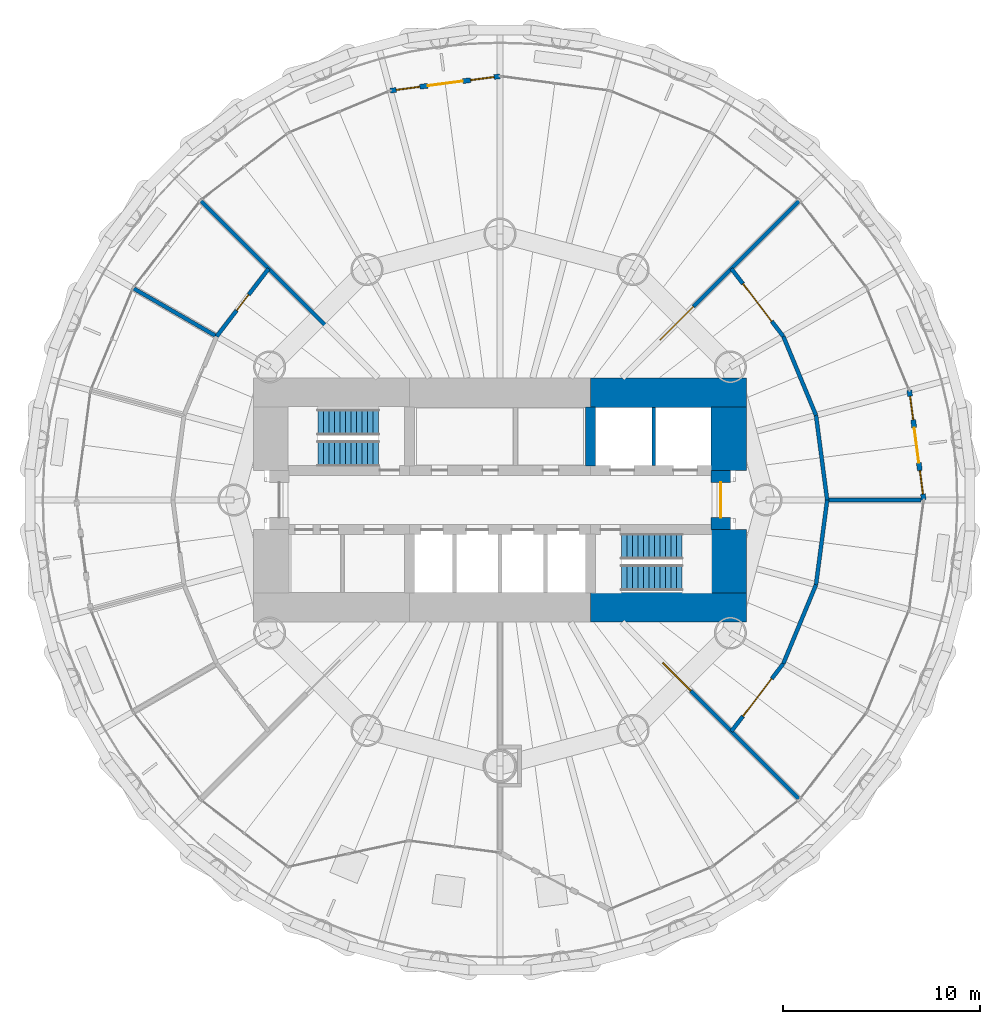
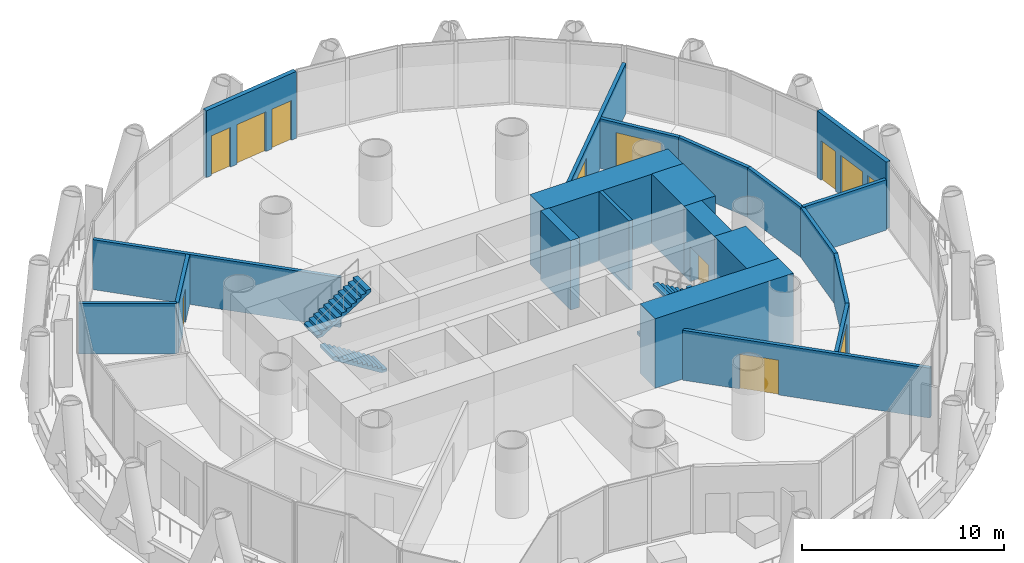
# One storey, part 11 of 15: 21 walls, 8 doors, 4 stair flights, 4 windows, 12 openings, 2 elements without a shape of their own.
"""IFC4 building model written with IfcOpenShell, lengths in metres."""

from ifc_helpers import new_model, si_unit, direction, frame, frame_2d, origin, place, context, subcontext, project, spatial, polyline, rectangle, outline, extrude, material, layer, layer_set, type_object, element, fill, aggregate, save


model = new_model("IFC4")

# Units and contexts
model_context = context("Model", 3, precision=1e-05, world=origin(), true_north=direction((0.0, 1.0)))
body_context = subcontext(model_context, "Body", "Model", "MODEL_VIEW")
ifc_project = project(units=[si_unit("LENGTHUNIT", "METRE"), si_unit("AREAUNIT", "SQUARE_METRE"), si_unit("VOLUMEUNIT", "CUBIC_METRE"), si_unit("PLANEANGLEUNIT", "RADIAN"), si_unit("MASSUNIT", "GRAM", prefix="KILO")], contexts=[model_context])

# Site, building, storey
site_placement = place(None, origin())
site = spatial("IfcSite", under=ifc_project, at=site_placement, CompositionType="ELEMENT")
building_placement = place(site_placement, origin())
building = spatial("IfcBuilding", under=site, at=building_placement, Name="Qaws Media Tower", CompositionType="ELEMENT")
storey_placement = place(building_placement, frame((0.0, 0.0, 198.199951171875)))
storey = spatial("IfcBuildingStorey", under=building, at=storey_placement, Name="L45", CompositionType="ELEMENT", Elevation=198.199951171875)

# Wall, openings, door, windows
ifc_material_1 = material(Name="Precast concrete, exposed finish", Category="concrete")
ifc_layer_1 = layer(ifc_material_1, 0.25)
ifc_layer_set_1 = layer_set([ifc_layer_1], Name="Balcony door wall 250")
wall_type_1 = type_object("IfcWallType", Name="Balcony door wall 250", PredefinedType="SOLIDWALL", material=ifc_layer_set_1)
wall_1_placement = place(storey_placement, frame((81.5, 50.0, 0.0), z_axis=(0.0, 0.0, 1.0), x_axis=(-0.130536651449, 0.991443484334, 0.0)))
wall_1 = element("IfcWall", 1, at=wall_1_placement, inside=storey, type_object=wall_type_1, Name="W120 EW1 balcony door wall L45-01", PredefinedType="SOLIDWALL", context=body_context, shape_type="SweptSolid", body=[
    extrude(rectangle(XDim=5.61279296875, YDim=0.25, at=frame_2d((2.806396484375, 0.0))), origin(), (0.0, 0.0, 1.0), 4.0400390625),
])
opening_1_placement = place(wall_1_placement, frame((1.90625, 0.0, 0.0)))
opening_1 = element("IfcOpeningElement", 2, at=opening_1_placement, cuts=wall_1, Name="Opening D7", PredefinedType="OPENING", context=body_context, shape_type="SweptSolid", body=[
    extrude(rectangle(XDim=1.800048828125, YDim=2.39990234375, at=frame_2d((0.89990234375, 1.199951171875))), frame((0.0, 0.135009765625, 0.0), z_axis=(0.0, -1.0, 0.0), x_axis=(1.0, 0.0, 0.0)), (0.0, 0.0, 1.0), 0.27001953125),
])
opening_2_placement = place(wall_1_placement, frame((0.306396484375, 0.0, 0.0)))
opening_2 = element("IfcOpeningElement", 3, at=opening_2_placement, cuts=wall_1, Name="Opening W1", PredefinedType="OPENING", context=body_context, shape_type="SweptSolid", body=[
    extrude(rectangle(XDim=1.199951171875, YDim=2.39990234375, at=frame_2d((0.60009765625, 1.199951171875))), frame((0.0, 0.135009765625, 0.0), z_axis=(0.0, -1.0, 0.0), x_axis=(1.0, 0.0, 0.0)), (0.0, 0.0, 1.0), 0.27001953125),
])
opening_3_placement = place(wall_1_placement, frame((4.106201171875, 0.0, 0.0)))
opening_3 = element("IfcOpeningElement", 4, at=opening_3_placement, cuts=wall_1, Name="Opening W1", PredefinedType="OPENING", context=body_context, shape_type="SweptSolid", body=[
    extrude(rectangle(XDim=1.199951171875, YDim=2.39990234375, at=frame_2d((0.60009765625, 1.199951171875))), frame((0.0, 0.135009765625, 0.0), z_axis=(0.0, -1.0, 0.0), x_axis=(1.0, 0.0, 0.0)), (0.0, 0.0, 1.0), 0.27001953125),
])
ifc_material_2 = material(Name="Aluminium and clear glass", Category="aluminium")
door_type_1 = type_object("IfcDoorType", Name="Balcony door pair 1800", OperationType="DOUBLE_DOOR_SLIDING", PredefinedType="DOOR", material=ifc_material_2)
door_1_placement = place(opening_1_placement, origin())
door_1 = element("IfcDoor", 5, at=door_1_placement, inside=storey, type_object=door_type_1, Name="D7 balcony door L45-01 in wall W120", OperationType="DOUBLE_DOOR_SLIDING", OverallHeight=2.39990234375, OverallWidth=1.800048828125, PredefinedType="DOOR", context=body_context, shape_type="SweptSolid", body=[
    extrude(rectangle(XDim=1.800048828125, YDim=2.39990234375, at=frame_2d((0.89990234375, 1.199951171875))), frame((0.0, 0.02490234375, 0.0), z_axis=(0.0, -1.0, 0.0), x_axis=(1.0, 0.0, 0.0)), (0.0, 0.0, 1.0), 0.050048828125),
])
fill(opening_1, door_1)
ifc_material_3 = material(Name="Aluminium and clear glass", Category="aluminium")
window_type = type_object("IfcWindowType", Name="Balcony side window 1200", PartitioningType="SINGLE_PANEL", PredefinedType="WINDOW", material=ifc_material_3)
window_1_placement = place(opening_2_placement, origin())
window_1 = element("IfcWindow", 6, at=window_1_placement, inside=storey, type_object=window_type, Name="W1 balcony side light L45-01L", OverallHeight=2.39990234375, OverallWidth=1.199951171875, PartitioningType="SINGLE_PANEL", PredefinedType="WINDOW", context=body_context, shape_type="SweptSolid", body=[
    extrude(rectangle(XDim=1.199951171875, YDim=2.39990234375, at=frame_2d((0.60009765625, 1.199951171875))), frame((0.0, 0.030029296875, 0.0), z_axis=(0.0, -1.0, 0.0), x_axis=(1.0, 0.0, 0.0)), (0.0, 0.0, 1.0), 0.06005859375),
])
fill(opening_2, window_1)
window_2_placement = place(opening_3_placement, origin())
window_2 = element("IfcWindow", 7, at=window_2_placement, inside=storey, type_object=window_type, Name="W1 balcony side light L45-01R", OverallHeight=2.39990234375, OverallWidth=1.199951171875, PartitioningType="SINGLE_PANEL", PredefinedType="WINDOW", context=body_context, shape_type="SweptSolid", body=[
    extrude(rectangle(XDim=1.199951171875, YDim=2.39990234375, at=frame_2d((0.60009765625, 1.199951171875))), frame((0.0, 0.030029296875, 0.0), z_axis=(0.0, -1.0, 0.0), x_axis=(1.0, 0.0, 0.0)), (0.0, 0.0, 1.0), 0.06005859375),
])
fill(opening_3, window_2)

wall_2_placement = place(storey_placement, frame((60.0, 71.5, 0.0), z_axis=(0.0, 0.0, 1.0), x_axis=(-0.991443484334, -0.130536651449, 0.0)))
wall_2 = element("IfcWall", 8, at=wall_2_placement, inside=storey, type_object=wall_type_1, Name="W119 EW1 balcony door wall L45-07", PredefinedType="SOLIDWALL", context=body_context, shape_type="SweptSolid", body=[
    extrude(rectangle(XDim=5.61279296875, YDim=0.25, at=frame_2d((2.806396484375, 0.0))), origin(), (0.0, 0.0, 1.0), 4.0400390625),
])
opening_4_placement = place(wall_2_placement, frame((1.90625, 0.0, 0.0)))
opening_4 = element("IfcOpeningElement", 9, at=opening_4_placement, cuts=wall_2, Name="Opening D7", PredefinedType="OPENING", context=body_context, shape_type="SweptSolid", body=[
    extrude(rectangle(XDim=1.800048828125, YDim=2.39990234375, at=frame_2d((0.89990234375, 1.199951171875))), frame((0.0, 0.135009765625, 0.0), z_axis=(0.0, -1.0, 0.0), x_axis=(1.0, 0.0, 0.0)), (0.0, 0.0, 1.0), 0.27001953125),
])
opening_5_placement = place(wall_2_placement, frame((0.306396484375, 0.0, 0.0)))
opening_5 = element("IfcOpeningElement", 10, at=opening_5_placement, cuts=wall_2, Name="Opening W1", PredefinedType="OPENING", context=body_context, shape_type="SweptSolid", body=[
    extrude(rectangle(XDim=1.199951171875, YDim=2.39990234375, at=frame_2d((0.60009765625, 1.199951171875))), frame((0.0, 0.135009765625, 0.0), z_axis=(0.0, -1.0, 0.0), x_axis=(1.0, 0.0, 0.0)), (0.0, 0.0, 1.0), 0.27001953125),
])
opening_6_placement = place(wall_2_placement, frame((4.106201171875, 0.0, 0.0)))
opening_6 = element("IfcOpeningElement", 11, at=opening_6_placement, cuts=wall_2, Name="Opening W1", PredefinedType="OPENING", context=body_context, shape_type="SweptSolid", body=[
    extrude(rectangle(XDim=1.199951171875, YDim=2.39990234375, at=frame_2d((0.60009765625, 1.199951171875))), frame((0.0, 0.135009765625, 0.0), z_axis=(0.0, -1.0, 0.0), x_axis=(1.0, 0.0, 0.0)), (0.0, 0.0, 1.0), 0.27001953125),
])
door_2_placement = place(opening_4_placement, origin())
door_2 = element("IfcDoor", 12, at=door_2_placement, inside=storey, type_object=door_type_1, Name="D7 balcony door L45-07 in wall W119", OperationType="DOUBLE_DOOR_SLIDING", OverallHeight=2.39990234375, OverallWidth=1.800048828125, PredefinedType="DOOR", context=body_context, shape_type="SweptSolid", body=[
    extrude(rectangle(XDim=1.800048828125, YDim=2.39990234375, at=frame_2d((0.89990234375, 1.199951171875))), frame((0.0, 0.02490234375, 0.0), z_axis=(0.0, -1.0, 0.0), x_axis=(1.0, 0.0, 0.0)), (0.0, 0.0, 1.0), 0.050048828125),
])
fill(opening_4, door_2)
window_3_placement = place(opening_5_placement, origin())
window_3 = element("IfcWindow", 13, at=window_3_placement, inside=storey, type_object=window_type, Name="W1 balcony side light L45-07L", OverallHeight=2.39990234375, OverallWidth=1.199951171875, PartitioningType="SINGLE_PANEL", PredefinedType="WINDOW", context=body_context, shape_type="SweptSolid", body=[
    extrude(rectangle(XDim=1.199951171875, YDim=2.39990234375, at=frame_2d((0.60009765625, 1.199951171875))), frame((0.0, 0.030029296875, 0.0), z_axis=(0.0, -1.0, 0.0), x_axis=(1.0, 0.0, 0.0)), (0.0, 0.0, 1.0), 0.06005859375),
])
fill(opening_5, window_3)
window_4_placement = place(opening_6_placement, origin())
window_4 = element("IfcWindow", 14, at=window_4_placement, inside=storey, type_object=window_type, Name="W1 balcony side light L45-07R", OverallHeight=2.39990234375, OverallWidth=1.199951171875, PartitioningType="SINGLE_PANEL", PredefinedType="WINDOW", context=body_context, shape_type="SweptSolid", body=[
    extrude(rectangle(XDim=1.199951171875, YDim=2.39990234375, at=frame_2d((0.60009765625, 1.199951171875))), frame((0.0, 0.030029296875, 0.0), z_axis=(0.0, -1.0, 0.0), x_axis=(1.0, 0.0, 0.0)), (0.0, 0.0, 1.0), 0.06005859375),
])
fill(opening_6, window_4)

# Wall
ifc_material_4 = material(Name="Concrete C60/75", Category="concrete")
ifc_layer_2 = layer(ifc_material_4, 0.5)
ifc_layer_set_2 = layer_set([ifc_layer_2], Name="Core inner wall 500")
wall_type_2 = type_object("IfcWallType", Name="Core inner wall 500", PredefinedType="SHEAR", material=ifc_layer_set_2)
wall_3_placement = place(storey_placement, frame((64.60009765625, 51.72998046875, 0.0), z_axis=(0.0, 0.0, 1.0), x_axis=(0.0, 1.0, 0.0)))
element("IfcWall", 15, at=wall_3_placement, inside=storey, type_object=wall_type_2, Name="W353 SW12 core wall XNE L45", PredefinedType="SHEAR", context=body_context, shape_type="SweptSolid", body=[
    extrude(rectangle(XDim=2.989990234375, YDim=0.5, at=frame_2d((1.4951171875, 0.0))), origin(), (0.0, 0.0, 1.0), 4.199951171875),
])

# Wall, opening, door
ifc_material_5 = material(Name="Concrete C60/75", Category="concrete")
ifc_layer_3 = layer(ifc_material_5, 1.0)
ifc_layer_set_3 = layer_set([ifc_layer_3], Name="Core wall 1000")
wall_type_3 = type_object("IfcWallType", Name="Core wall 1000", PredefinedType="SHEAR", material=ifc_layer_set_3)
wall_4_placement = place(storey_placement, frame((71.199951171875, 48.5, 0.0), z_axis=(0.0, 0.0, 1.0), x_axis=(0.0, 1.0, 0.0)))
wall_4 = element("IfcWall", 16, at=wall_4_placement, inside=storey, type_object=wall_type_3, Name="W369 SW8 core wall E L45", PredefinedType="SHEAR", context=body_context, shape_type="SweptSolid", body=[
    extrude(rectangle(XDim=3.0, YDim=1.0, at=frame_2d((1.5, 0.0))), origin(), (0.0, 0.0, 1.0), 4.199951171875),
])
opening_7_placement = place(wall_4_placement, frame((0.60009765625, 0.0, 0.0)))
opening_7 = element("IfcOpeningElement", 17, at=opening_7_placement, cuts=wall_4, Name="Opening D2", PredefinedType="OPENING", context=body_context, shape_type="SweptSolid", body=[
    extrude(rectangle(XDim=1.800048828125, YDim=2.10009765625, at=frame_2d((0.89990234375, 1.050048828125))), frame((0.0, 0.510009765625, 0.0), z_axis=(0.0, -1.0, 0.0), x_axis=(1.0, 0.0, 0.0)), (0.0, 0.0, 1.0), 1.02001953125),
])
ifc_material_6 = material(Name="Steel and glass, fire rated", Category="steel")
door_type_2 = type_object("IfcDoorType", Name="Lobby door pair 1800 FD60", OperationType="DOUBLE_DOOR_DOUBLE_SWING", PredefinedType="DOOR", material=ifc_material_6)
door_3_placement = place(opening_7_placement, origin())
door_3 = element("IfcDoor", 18, at=door_3_placement, inside=storey, type_object=door_type_2, Name="D2 core lobby door E L45 in wall W369", OperationType="DOUBLE_DOOR_DOUBLE_SWING", OverallHeight=2.10009765625, OverallWidth=1.800048828125, PredefinedType="DOOR", context=body_context, shape_type="SweptSolid", body=[
    extrude(rectangle(XDim=1.800048828125, YDim=2.10009765625, at=frame_2d((0.89990234375, 1.050048828125))), frame((0.0, 0.02490234375, 0.0), z_axis=(0.0, -1.0, 0.0), x_axis=(1.0, 0.0, 0.0)), (0.0, 0.0, 1.0), 0.050048828125),
])
fill(opening_7, door_3)

# Walls
ifc_material_7 = material(Name="Concrete C60/75", Category="concrete")
ifc_layer_4 = layer(ifc_material_7, 1.5)
ifc_layer_set_4 = layer_set([ifc_layer_4], Name="Core wall 1500")
wall_type_4 = type_object("IfcWallType", Name="Core wall 1500", PredefinedType="SHEAR", material=ifc_layer_set_4)
for number, where, z_axis, x_axis, name in (
    (19, (64.60009765625, 55.449951171875, 0.0), (0.0, 0.0, 1.0), (1.0, 0.0, 0.0), "W375 SW13 core wall NE L45"),
    (20, (64.60009765625, 44.550048828125, 0.0), (0.0, 0.0, 1.0), (1.0, 0.0, 0.0), "W374 SW13 core wall SE L45"),
):
    element("IfcWall", number, at=place(storey_placement, frame(where, z_axis=z_axis, x_axis=x_axis)), inside=storey, type_object=wall_type_4, Name=name, PredefinedType="SHEAR", context=body_context, shape_type="SweptSolid", body=[
        extrude(rectangle(XDim=7.89990234375, YDim=1.5, at=frame_2d((3.949951171875, 0.0))), origin(), (0.0, 0.0, 1.0), 4.199951171875),
    ])
ifc_material_8 = material(Name="Concrete C60/75", Category="concrete")
ifc_layer_5 = layer(ifc_material_8, 1.800048828125)
ifc_layer_set_5 = layer_set([ifc_layer_5], Name="Core wall 1800")
wall_type_5 = type_object("IfcWallType", Name="Core wall 1800", PredefinedType="SHEAR", material=ifc_layer_set_5)
for number, where, z_axis, x_axis, name in (
    (21, (71.60009765625, 45.280029296875, 0.0), (0.0, 0.0, 1.0), (0.0, 1.0, 0.0), "W436 SW11 core wall ES L45"),
    (22, (71.60009765625, 51.5, 0.0), (0.0, 0.0, 1.0), (0.0, 1.0, 0.0), "W437 SW11 core wall EN L45"),
):
    element("IfcWall", number, at=place(storey_placement, frame(where, z_axis=z_axis, x_axis=x_axis)), inside=storey, type_object=wall_type_5, Name=name, PredefinedType="SHEAR", context=body_context, shape_type="SweptSolid", body=[
        extrude(rectangle(XDim=3.219970703125, YDim=1.800048828125, at=frame_2d((1.60986328125, 0.0))), origin(), (0.0, 0.0, 1.0), 4.199951171875),
    ])

# Wall, opening, door
ifc_material_9 = material(Name="Gypsum board on galvanised metal studs, acoustic double stud, deflection head", Category="gypsum")
ifc_layer_6 = layer(ifc_material_9, 0.199951171875)
ifc_layer_set_6 = layer_set([ifc_layer_6], Name="Room partition 200")
wall_type_6 = type_object("IfcWallType", Name="Room partition 200", PredefinedType="PARTITIONING", material=ifc_layer_set_6)
wall_5_placement = place(storey_placement, frame((45.6240234375, 58.300048828125, 0.0), z_axis=(0.0, 0.0, 1.0), x_axis=(0.60874374674, 0.79336690806, 0.0)))
wall_5 = element("IfcWall", 23, at=wall_5_placement, inside=storey, type_object=wall_type_6, Name="W1504 IW3 partition L45", PredefinedType="PARTITIONING", context=body_context, shape_type="SweptSolid", body=[
    extrude(rectangle(XDim=4.33349609375, YDim=0.199951171875, at=frame_2d((2.166748046875, 0.0))), origin(), (0.0, 0.0, 1.0), 3.011962890625),
])
opening_8_placement = place(wall_5_placement, frame((1.666748046875, 0.0, 0.0)))
opening_8 = element("IfcOpeningElement", 24, at=opening_8_placement, cuts=wall_5, Name="Opening D5", PredefinedType="OPENING", context=body_context, shape_type="SweptSolid", body=[
    extrude(rectangle(XDim=1.0, YDim=2.10009765625, at=frame_2d((0.5, 1.050048828125))), frame((0.0, 0.10986328125, 0.0), z_axis=(0.0, -1.0, 0.0), x_axis=(1.0, 0.0, 0.0)), (0.0, 0.0, 1.0), 0.219970703125),
])
ifc_material_10 = material(Name="Timber veneered, acoustic seal", Category="wood")
door_type_3 = type_object("IfcDoorType", Name="Room door 1000", OperationType="SINGLE_SWING_LEFT", PredefinedType="DOOR", material=ifc_material_10)
door_4_placement = place(opening_8_placement, origin())
door_4 = element("IfcDoor", 25, at=door_4_placement, inside=storey, type_object=door_type_3, Name="D5 Changing room (men) door L45 in wall W1504", OperationType="SINGLE_SWING_LEFT", OverallHeight=2.10009765625, OverallWidth=1.0, PredefinedType="DOOR", context=body_context, shape_type="SweptSolid", body=[
    extrude(rectangle(XDim=1.0, YDim=2.10009765625, at=frame_2d((0.5, 1.050048828125))), frame((0.0, 0.02490234375, 0.0), z_axis=(0.0, -1.0, 0.0), x_axis=(1.0, 0.0, 0.0)), (0.0, 0.0, 1.0), 0.050048828125),
])
fill(opening_8, door_4)

wall_6_placement = place(storey_placement, frame((71.738037109375, 61.738037109375, 0.0), z_axis=(0.0, 0.0, 1.0), x_axis=(0.60874374674, -0.79336690806, 0.0)))
wall_6 = element("IfcWall", 26, at=wall_6_placement, inside=storey, type_object=wall_type_6, Name="W1516 IW3 partition L45", PredefinedType="PARTITIONING", context=body_context, shape_type="SweptSolid", body=[
    extrude(rectangle(XDim=4.33349609375, YDim=0.199951171875, at=frame_2d((2.166748046875, 0.0))), origin(), (0.0, 0.0, 1.0), 3.011962890625),
])
opening_9_placement = place(wall_6_placement, frame((0.966796875, 0.0, 0.0)))
opening_9 = element("IfcOpeningElement", 27, at=opening_9_placement, cuts=wall_6, Name="Opening D17", PredefinedType="OPENING", context=body_context, shape_type="SweptSolid", body=[
    extrude(rectangle(XDim=2.39990234375, YDim=2.39990234375, at=frame_2d((1.199951171875, 1.199951171875))), frame((0.0, 0.10986328125, 0.0), z_axis=(0.0, -1.0, 0.0), x_axis=(1.0, 0.0, 0.0)), (0.0, 0.0, 1.0), 0.219970703125),
])
ifc_material_11 = material(Name="Timber veneered, panic hardware", Category="wood")
door_type_4 = type_object("IfcDoorType", Name="Assembly room door pair 2400x2400", OperationType="DOUBLE_DOOR_DOUBLE_SWING", PredefinedType="DOOR", material=ifc_material_11)
door_5_placement = place(opening_9_placement, origin())
door_5 = element("IfcDoor", 28, at=door_5_placement, inside=storey, type_object=door_type_4, Name="D17 Fitness centre door L45 in wall W1516", OperationType="DOUBLE_DOOR_DOUBLE_SWING", OverallHeight=2.39990234375, OverallWidth=2.39990234375, PredefinedType="DOOR", context=body_context, shape_type="SweptSolid", body=[
    extrude(rectangle(XDim=2.39990234375, YDim=2.39990234375, at=frame_2d((1.199951171875, 1.199951171875))), frame((0.0, 0.02490234375, 0.0), z_axis=(0.0, -1.0, 0.0), x_axis=(1.0, 0.0, 0.0)), (0.0, 0.0, 1.0), 0.050048828125),
])
fill(opening_9, door_5)

# Walls
for number, where, z_axis, x_axis, name in (
    (29, (74.3759765625, 58.300048828125, 0.0), (0.0, 0.0, 1.0), (0.382698425325, -0.923873322082, 0.0), "W1518 IW3 partition L45"),
    (30, (76.034423828125, 54.29638671875, 0.0), (0.0, 0.0, 1.0), (0.130536124221, -0.99144355375, 0.0), "W1520 IW3 partition L45"),
    (31, (76.60009765625, 50.0, 0.0), (0.0, 0.0, 1.0), (-0.130536124221, -0.99144355375, 0.0), "W1521 IW3 partition L45"),
    (32, (76.034423828125, 45.70361328125, 0.0), (0.0, 0.0, 1.0), (-0.382698425325, -0.923873322082, 0.0), "W1519 IW3 partition L45"),
):
    element("IfcWall", number, at=place(storey_placement, frame(where, z_axis=z_axis, x_axis=x_axis)), inside=storey, type_object=wall_type_6, Name=name, PredefinedType="PARTITIONING", context=body_context, shape_type="SweptSolid", body=[
        extrude(rectangle(XDim=4.33349609375, YDim=0.199951171875, at=frame_2d((2.166748046875, 0.0))), origin(), (0.0, 0.0, 1.0), 3.011962890625),
    ])

# Wall, opening, door
wall_7_placement = place(storey_placement, frame((74.3759765625, 41.699951171875, 0.0), z_axis=(0.0, 0.0, 1.0), x_axis=(-0.60874374674, -0.79336690806, 0.0)))
wall_7 = element("IfcWall", 33, at=wall_7_placement, inside=storey, type_object=wall_type_6, Name="W1517 IW3 partition L45", PredefinedType="PARTITIONING", context=body_context, shape_type="SweptSolid", body=[
    extrude(rectangle(XDim=4.33349609375, YDim=0.199951171875, at=frame_2d((2.166748046875, 0.0))), origin(), (0.0, 0.0, 1.0), 3.011962890625),
])
opening_10_placement = place(wall_7_placement, frame((0.966796875, 0.0, 0.0)))
opening_10 = element("IfcOpeningElement", 34, at=opening_10_placement, cuts=wall_7, Name="Opening D17", PredefinedType="OPENING", context=body_context, shape_type="SweptSolid", body=[
    extrude(rectangle(XDim=2.39990234375, YDim=2.39990234375, at=frame_2d((1.199951171875, 1.199951171875))), frame((0.0, 0.10986328125, 0.0), z_axis=(0.0, -1.0, 0.0), x_axis=(1.0, 0.0, 0.0)), (0.0, 0.0, 1.0), 0.219970703125),
])
door_6_placement = place(opening_10_placement, origin())
door_6 = element("IfcDoor", 35, at=door_6_placement, inside=storey, type_object=door_type_4, Name="D17 Wellness lounge door L45 in wall W1517", OperationType="DOUBLE_DOOR_DOUBLE_SWING", OverallHeight=2.39990234375, OverallWidth=2.39990234375, PredefinedType="DOOR", context=body_context, shape_type="SweptSolid", body=[
    extrude(rectangle(XDim=2.39990234375, YDim=2.39990234375, at=frame_2d((1.199951171875, 1.199951171875))), frame((0.0, 0.02490234375, 0.0), z_axis=(0.0, -1.0, 0.0), x_axis=(1.0, 0.0, 0.0)), (0.0, 0.0, 1.0), 0.050048828125),
])
fill(opening_10, door_6)

# Wall
wall_8_placement = place(storey_placement, frame((76.60009765625, 50.0, 0.0), z_axis=(0.0, 0.0, 1.0), x_axis=(1.0, 0.0, 0.0)))
element("IfcWall", 36, at=wall_8_placement, inside=storey, type_object=wall_type_6, Name="W1522 IW3 partition L45", PredefinedType="PARTITIONING", context=body_context, shape_type="SweptSolid", body=[
    extrude(rectangle(XDim=4.760009765625, YDim=0.199951171875, at=frame_2d((2.3798828125, 0.0))), origin(), (0.0, 0.0, 1.0), 3.0400390625),
])

# Wall, opening, door
wall_9_placement = place(storey_placement, frame((66.199951171875, 56.199951171875, 0.0), z_axis=(0.0, 0.0, 1.0), x_axis=(0.707106781187, 0.707106781187, 0.0)))
wall_9 = element("IfcWall", 37, at=wall_9_placement, inside=storey, type_object=wall_type_6, Name="W1515 IW3 partition L45", PredefinedType="PARTITIONING", context=body_context, shape_type="SweptSolid", body=[
    extrude(rectangle(XDim=12.69189453125, YDim=0.199951171875, at=frame_2d((6.345947265625, 0.0))), origin(), (0.0, 0.0, 1.0), 3.02001953125),
])
opening_11_placement = place(wall_9_placement, frame((2.7158203125, 0.0, 0.0)))
opening_11 = element("IfcOpeningElement", 38, at=opening_11_placement, cuts=wall_9, Name="Opening D17", PredefinedType="OPENING", context=body_context, shape_type="SweptSolid", body=[
    extrude(rectangle(XDim=2.39990234375, YDim=2.39990234375, at=frame_2d((1.199951171875, 1.199951171875))), frame((0.0, 0.10986328125, 0.0), z_axis=(0.0, -1.0, 0.0), x_axis=(1.0, 0.0, 0.0)), (0.0, 0.0, 1.0), 0.219970703125),
])
door_7_placement = place(opening_11_placement, origin())
door_7 = element("IfcDoor", 39, at=door_7_placement, inside=storey, type_object=door_type_4, Name="D17 Fitness centre door L45 in wall W1515", OperationType="DOUBLE_DOOR_DOUBLE_SWING", OverallHeight=2.39990234375, OverallWidth=2.39990234375, PredefinedType="DOOR", context=body_context, shape_type="SweptSolid", body=[
    extrude(rectangle(XDim=2.39990234375, YDim=2.39990234375, at=frame_2d((1.199951171875, 1.199951171875))), frame((0.0, 0.02490234375, 0.0), z_axis=(0.0, -1.0, 0.0), x_axis=(1.0, 0.0, 0.0)), (0.0, 0.0, 1.0), 0.050048828125),
])
fill(opening_11, door_7)

# Walls
wall_10_placement = place(storey_placement, frame((53.800048828125, 56.199951171875, 0.0), z_axis=(0.0, 0.0, 1.0), x_axis=(-0.707106781187, 0.707106781187, 0.0)))
element("IfcWall", 40, at=wall_10_placement, inside=storey, type_object=wall_type_6, Name="W1507 IW3 partition L45", PredefinedType="PARTITIONING", context=body_context, shape_type="SweptSolid", body=[
    extrude(rectangle(XDim=12.69189453125, YDim=0.199951171875, at=frame_2d((6.345947265625, 0.0))), origin(), (0.0, 0.0, 1.0), 3.02001953125),
])
wall_11_placement = place(storey_placement, frame((45.6240234375, 58.300048828125, 0.0), z_axis=(0.0, 0.0, 1.0), x_axis=(-0.866036685051, 0.499980459763, 0.0)))
element("IfcWall", 41, at=wall_11_placement, inside=storey, type_object=wall_type_6, Name="W1503 IW3 partition L45", PredefinedType="PARTITIONING", context=body_context, shape_type="SweptSolid", body=[
    extrude(rectangle(XDim=4.860107421875, YDim=0.199951171875, at=frame_2d((2.43017578125, 0.0))), origin(), (0.0, 0.0, 1.0), 3.0400390625),
])

# Wall, opening, door
wall_12_placement = place(storey_placement, frame((66.199951171875, 43.800048828125, 0.0), z_axis=(0.0, 0.0, 1.0), x_axis=(0.707106781187, -0.707106781187, 0.0)))
wall_12 = element("IfcWall", 42, at=wall_12_placement, inside=storey, type_object=wall_type_6, Name="W1514 IW3 partition L45", PredefinedType="PARTITIONING", context=body_context, shape_type="SweptSolid", body=[
    extrude(rectangle(XDim=12.69189453125, YDim=0.199951171875, at=frame_2d((6.345947265625, 0.0))), origin(), (0.0, 0.0, 1.0), 3.02001953125),
])
opening_12_placement = place(wall_12_placement, frame((2.916015625, 0.0, 0.0)))
opening_12 = element("IfcOpeningElement", 43, at=opening_12_placement, cuts=wall_12, Name="Opening D6", PredefinedType="OPENING", context=body_context, shape_type="SweptSolid", body=[
    extrude(rectangle(XDim=2.0, YDim=2.10009765625, at=frame_2d((1.0, 1.050048828125))), frame((0.0, 0.10986328125, 0.0), z_axis=(0.0, -1.0, 0.0), x_axis=(1.0, 0.0, 0.0)), (0.0, 0.0, 1.0), 0.219970703125),
])
ifc_material_12 = material(Name="Steel, acoustic, fire rated", Category="steel")
door_type_5 = type_object("IfcDoorType", Name="Room door pair 2000", OperationType="DOUBLE_DOOR_DOUBLE_SWING", PredefinedType="DOOR", material=ifc_material_12)
door_8_placement = place(opening_12_placement, origin())
door_8 = element("IfcDoor", 44, at=door_8_placement, inside=storey, type_object=door_type_5, Name="D6 Juice bar door L45 in wall W1514", OperationType="DOUBLE_DOOR_DOUBLE_SWING", OverallHeight=2.10009765625, OverallWidth=2.0, PredefinedType="DOOR", context=body_context, shape_type="SweptSolid", body=[
    extrude(rectangle(XDim=2.0, YDim=2.10009765625, at=frame_2d((1.0, 1.050048828125))), frame((0.0, 0.02490234375, 0.0), z_axis=(0.0, -1.0, 0.0), x_axis=(1.0, 0.0, 0.0)), (0.0, 0.0, 1.0), 0.050048828125),
])
fill(opening_12, door_8)

# Wall
ifc_material_13 = material(Name="Fire-rated gypsum board shaft wall on galvanised metal studs, deflection head", Category="gypsum")
ifc_layer_7 = layer(ifc_material_13, 0.199951171875)
ifc_layer_set_7 = layer_set([ifc_layer_7], Name="Shaft wall 200")
wall_type_7 = type_object("IfcWallType", Name="Shaft wall 200", PredefinedType="PARTITIONING", material=ifc_layer_set_7)
wall_13_placement = place(storey_placement, frame((67.800048828125, 51.75, 0.0), z_axis=(0.0, 0.0, 1.0), x_axis=(0.0, 1.0, 0.0)))
element("IfcWall", 45, at=wall_13_placement, inside=storey, type_object=wall_type_7, Name="W1870 IW1 shaft wall FL L45", PredefinedType="PARTITIONING", context=body_context, shape_type="SweptSolid", body=[
    extrude(rectangle(XDim=2.949951171875, YDim=0.199951171875, at=frame_2d((1.47509765625, 0.0))), origin(), (0.0, 0.0, 1.0), 4.199951171875),
])

# Stair, stair flights
ifc_material_14 = material(Name="Concrete C40/50", Category="concrete")
stair_type = type_object("IfcStairType", Name="Exit stair", PredefinedType="HALF_TURN_STAIR", material=ifc_material_14)
stair_1_placement = place(storey_placement, origin())
stair_1 = element("IfcStair", 46, at=stair_1_placement, inside=storey, type_object=stair_type, Name="S1 exit stair L45", PredefinedType="HALF_TURN_STAIR")
ifc_material_15 = material(Name="Concrete C40/50", Category="concrete")
stair_flight_type = type_object("IfcStairFlightType", Name="Stair flight 1310", PredefinedType="STRAIGHT", material=ifc_material_15)
stair_flight_1_placement = place(storey_placement, frame((53.840087890625, 52.35498046875, 0.0), z_axis=(0.0, 0.0, 1.0), x_axis=(-1.0, 0.0, 0.0)))
stair_flight_1 = element("IfcStairFlight", 47, at=stair_flight_1_placement, type_object=stair_flight_type, Name="S1 flight 1", NumberOfRisers=12, NumberOfTreads=11, PredefinedType="STRAIGHT", RiserHeight=0.175, TreadLength=0.28, context=body_context, shape_type="SweptSolid", body=[
    extrude(outline(polyline([(0.0, 0.0), (0.0, 0.175048828125), (0.280029296875, 0.175048828125), (0.280029296875, 0.35009765625), (0.56005859375, 0.35009765625), (0.56005859375, 0.52490234375), (0.840087890625, 0.52490234375), (0.840087890625, 0.699951171875), (1.1201171875, 0.699951171875), (1.1201171875, 0.875), (1.39990234375, 0.875), (1.39990234375, 1.050048828125), (1.679931640625, 1.050048828125), (1.679931640625, 1.22509765625), (1.9599609375, 1.22509765625), (1.9599609375, 1.39990234375), (2.239990234375, 1.39990234375), (2.239990234375, 1.574951171875), (2.52001953125, 1.574951171875), (2.52001953125, 1.75), (2.800048828125, 1.75), (2.800048828125, 1.925048828125), (3.080078125, 1.925048828125), (3.080078125, 2.10009765625), (3.080078125, 1.748291015625), (0.28271484375, 0.0), (0.0, 0.0)])), frame((0.0, 0.655029296875, 0.0), z_axis=(0.0, -1.0, 0.0), x_axis=(1.0, 0.0, 0.0)), (0.0, 0.0, 1.0), 1.31005859375),
])
stair_flight_2_placement = place(storey_placement, frame((50.760009765625, 53.945068359375, 2.10009765625), z_axis=(0.0, 0.0, 1.0), x_axis=(1.0, 0.0, 0.0)))
stair_flight_2 = element("IfcStairFlight", 48, at=stair_flight_2_placement, type_object=stair_flight_type, Name="S1 flight 2", NumberOfRisers=12, NumberOfTreads=11, PredefinedType="STRAIGHT", RiserHeight=0.175, TreadLength=0.28, context=body_context, shape_type="SweptSolid", body=[
    extrude(outline(polyline([(0.0, 0.0), (0.0, 0.175048828125), (0.280029296875, 0.175048828125), (0.280029296875, 0.35009765625), (0.56005859375, 0.35009765625), (0.56005859375, 0.52490234375), (0.840087890625, 0.52490234375), (0.840087890625, 0.699951171875), (1.1201171875, 0.699951171875), (1.1201171875, 0.875), (1.39990234375, 0.875), (1.39990234375, 1.050048828125), (1.679931640625, 1.050048828125), (1.679931640625, 1.22509765625), (1.9599609375, 1.22509765625), (1.9599609375, 1.39990234375), (2.239990234375, 1.39990234375), (2.239990234375, 1.574951171875), (2.52001953125, 1.574951171875), (2.52001953125, 1.75), (2.800048828125, 1.75), (2.800048828125, 1.925048828125), (3.080078125, 1.925048828125), (3.080078125, 2.10009765625), (3.080078125, 1.748291015625), (0.28271484375, 0.0), (0.0, 0.0)])), frame((0.0, 0.655029296875, 0.0), z_axis=(0.0, -1.0, 0.0), x_axis=(1.0, 0.0, 0.0)), (0.0, 0.0, 1.0), 1.31005859375),
])
aggregate(stair_1, [stair_flight_1, stair_flight_2])

stair_2_placement = place(storey_placement, origin())
stair_2 = element("IfcStair", 49, at=stair_2_placement, inside=storey, type_object=stair_type, Name="S2 exit stair L45", PredefinedType="HALF_TURN_STAIR")
stair_flight_3_placement = place(storey_placement, frame((66.159912109375, 47.64501953125, 0.0), z_axis=(0.0, 0.0, 1.0), x_axis=(1.0, 0.0, 0.0)))
stair_flight_3 = element("IfcStairFlight", 50, at=stair_flight_3_placement, type_object=stair_flight_type, Name="S2 flight 1", NumberOfRisers=12, NumberOfTreads=11, PredefinedType="STRAIGHT", RiserHeight=0.175, TreadLength=0.28, context=body_context, shape_type="SweptSolid", body=[
    extrude(outline(polyline([(0.0, 0.0), (0.0, 0.175048828125), (0.280029296875, 0.175048828125), (0.280029296875, 0.35009765625), (0.56005859375, 0.35009765625), (0.56005859375, 0.52490234375), (0.840087890625, 0.52490234375), (0.840087890625, 0.699951171875), (1.1201171875, 0.699951171875), (1.1201171875, 0.875), (1.39990234375, 0.875), (1.39990234375, 1.050048828125), (1.679931640625, 1.050048828125), (1.679931640625, 1.22509765625), (1.9599609375, 1.22509765625), (1.9599609375, 1.39990234375), (2.239990234375, 1.39990234375), (2.239990234375, 1.574951171875), (2.52001953125, 1.574951171875), (2.52001953125, 1.75), (2.800048828125, 1.75), (2.800048828125, 1.925048828125), (3.080078125, 1.925048828125), (3.080078125, 2.10009765625), (3.080078125, 1.748291015625), (0.28271484375, 0.0), (0.0, 0.0)])), frame((0.0, 0.655029296875, 0.0), z_axis=(0.0, -1.0, 0.0), x_axis=(1.0, 0.0, 0.0)), (0.0, 0.0, 1.0), 1.31005859375),
])
stair_flight_4_placement = place(storey_placement, frame((69.239990234375, 46.054931640625, 2.10009765625), z_axis=(0.0, 0.0, 1.0), x_axis=(-1.0, 0.0, 0.0)))
stair_flight_4 = element("IfcStairFlight", 51, at=stair_flight_4_placement, type_object=stair_flight_type, Name="S2 flight 2", NumberOfRisers=12, NumberOfTreads=11, PredefinedType="STRAIGHT", RiserHeight=0.175, TreadLength=0.28, context=body_context, shape_type="SweptSolid", body=[
    extrude(outline(polyline([(0.0, 0.0), (0.0, 0.175048828125), (0.280029296875, 0.175048828125), (0.280029296875, 0.35009765625), (0.56005859375, 0.35009765625), (0.56005859375, 0.52490234375), (0.840087890625, 0.52490234375), (0.840087890625, 0.699951171875), (1.1201171875, 0.699951171875), (1.1201171875, 0.875), (1.39990234375, 0.875), (1.39990234375, 1.050048828125), (1.679931640625, 1.050048828125), (1.679931640625, 1.22509765625), (1.9599609375, 1.22509765625), (1.9599609375, 1.39990234375), (2.239990234375, 1.39990234375), (2.239990234375, 1.574951171875), (2.52001953125, 1.574951171875), (2.52001953125, 1.75), (2.800048828125, 1.75), (2.800048828125, 1.925048828125), (3.080078125, 1.925048828125), (3.080078125, 2.10009765625), (3.080078125, 1.748291015625), (0.28271484375, 0.0), (0.0, 0.0)])), frame((0.0, 0.655029296875, 0.0), z_axis=(0.0, -1.0, 0.0), x_axis=(1.0, 0.0, 0.0)), (0.0, 0.0, 1.0), 1.31005859375),
])
aggregate(stair_2, [stair_flight_3, stair_flight_4])

save(model, "model.ifc")
